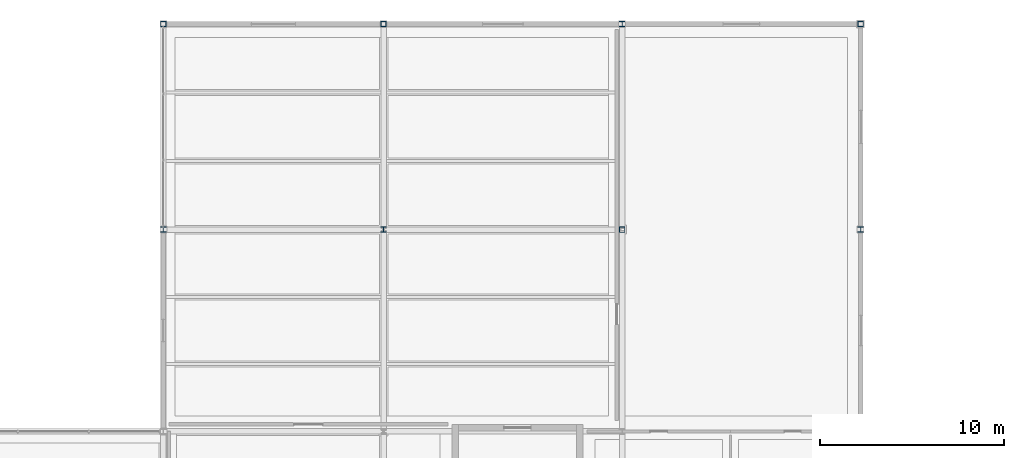
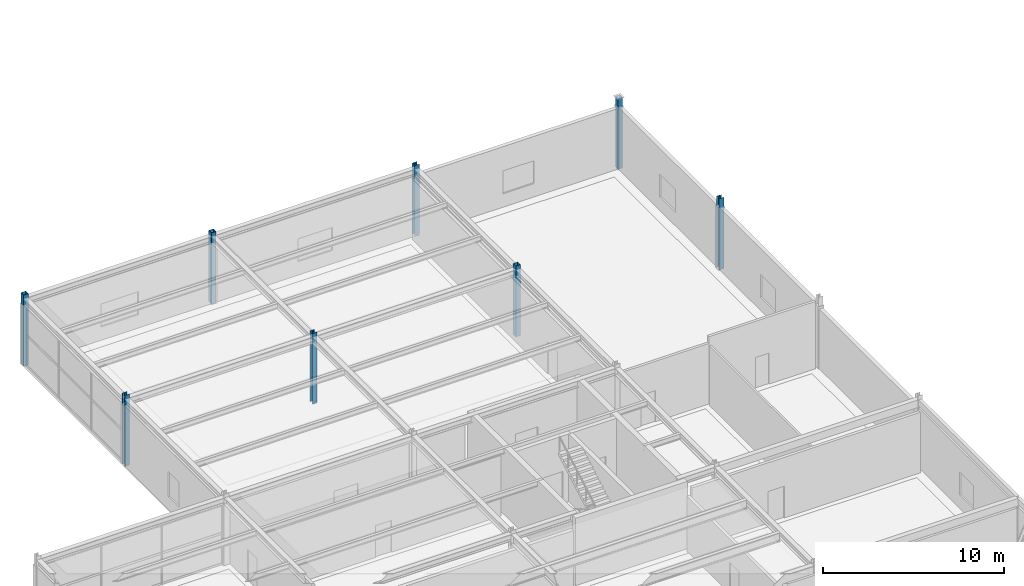
# One storey, part 11 of 108: 8 columns.
"""IFC4 building model written with IfcOpenShell, lengths in metres."""

from ifc_helpers import new_model, si_unit, direction, frame, origin, origin_2d, place, context, subcontext, project, spatial, hollow_rectangle, i_section, extrude, material, material_profile, profile_set, type_object, element, save


model = new_model("IFC4")

# Units and contexts
model_context = context("Model", 3, precision=1e-05, world=origin(), true_north=direction((0.0, 1.0)))
body_context = subcontext(model_context, "Body", "Model", "MODEL_VIEW")
ifc_project = project(units=[si_unit("LENGTHUNIT", "METRE"), si_unit("AREAUNIT", "SQUARE_METRE"), si_unit("VOLUMEUNIT", "CUBIC_METRE"), si_unit("PLANEANGLEUNIT", "RADIAN"), si_unit("MASSUNIT", "GRAM", prefix="KILO")], contexts=[model_context])

# Site, building, storey
site_placement = place(None, origin())
site = spatial("IfcSite", under=ifc_project, at=site_placement, CompositionType="ELEMENT")
building_placement = place(site_placement, origin())
building = spatial("IfcBuilding", under=site, at=building_placement, Name="Tarnveldt Headland Concert Hall", CompositionType="ELEMENT")
storey_placement = place(building_placement, frame((0.0, 0.0, 9.60009765625)))
storey = spatial("IfcBuildingStorey", under=building, at=storey_placement, Name="L02", CompositionType="ELEMENT", Elevation=9.60009765625)

# Columns
ifc_material = material(Name="Steel S355", Category="steel")
ifc_material_profile_1 = material_profile(ifc_material, i_section(OverallWidth=0.300048828125, OverallDepth=0.300048828125, WebThickness=0.010986328125, FlangeThickness=0.01904296875, FilletRadius=0.027099609375, at=origin_2d()), Name="HEB300", Category="steel")
ifc_profile_set_1 = profile_set([ifc_material_profile_1], Name="Steel S355")
column_type_1 = type_object("IfcColumnType", Name="SC-HEB300", PredefinedType="COLUMN", material=ifc_profile_set_1)
for number, where, z_axis, x_axis, name in (
    (1, (19.5, 104.0, 0.0), (0.0, 0.0, 1.0), (1.0, 0.0, 0.0), "Column V5C09 L02"),
    (2, (31.5, 104.0, 0.0), (0.0, 0.0, 1.0), (1.0, 0.0, 0.0), "Column V5C14 L02"),
    (3, (44.5, 115.199951171875, 0.0), (0.0, 0.0, 1.0), (1.0, 0.0, 0.0), "Column V5C21 L02"),
    (4, (57.5, 104.0, 0.0), (0.0, 0.0, 1.0), (1.0, 0.0, 0.0), "Column V5C24 L02"),
):
    element("IfcColumn", number, at=place(storey_placement, frame(where, z_axis=z_axis, x_axis=x_axis)), inside=storey, type_object=column_type_1, Name=name, PredefinedType="COLUMN", context=body_context, shape_type="SweptSolid", body=[
        extrude(i_section(OverallWidth=0.300048828125, OverallDepth=0.300048828125, WebThickness=0.010986328125, FlangeThickness=0.01904296875, FilletRadius=0.027099609375, at=origin_2d()), origin(), (0.0, 0.0, 1.0), 4.7998046875),
    ])
ifc_material_profile_2 = material_profile(ifc_material, hollow_rectangle(XDim=0.300048828125, YDim=0.300048828125, WallThickness=0.01611328125, at=origin_2d()), Name="SHS 300x300x16", Category="steel")
ifc_profile_set_2 = profile_set([ifc_material_profile_2], Name="Steel S355")
column_type_2 = type_object("IfcColumnType", Name="SC-SHS300", PredefinedType="COLUMN", material=ifc_profile_set_2)
for number, where, z_axis, x_axis, name in (
    (5, (19.5, 115.199951171875, 0.0), (0.0, 0.0, 1.0), (1.0, 0.0, 0.0), "Column V5C10 L02"),
    (6, (31.5, 115.199951171875, 0.0), (0.0, 0.0, 1.0), (1.0, 0.0, 0.0), "Column V5C15 L02"),
    (7, (44.5, 104.0, 0.0), (0.0, 0.0, 1.0), (1.0, 0.0, 0.0), "Column V5C20 L02"),
):
    element("IfcColumn", number, at=place(storey_placement, frame(where, z_axis=z_axis, x_axis=x_axis)), inside=storey, type_object=column_type_2, Name=name, PredefinedType="COLUMN", context=body_context, shape_type="SweptSolid", body=[
        extrude(hollow_rectangle(XDim=0.300048828125, YDim=0.300048828125, WallThickness=0.01611328125, at=origin_2d()), origin(), (0.0, 0.0, 1.0), 4.7998046875),
    ])
column_placement = place(storey_placement, frame((57.5, 115.199951171875, 0.0), z_axis=(0.0, 0.0, 1.0), x_axis=(1.0, 0.0, 0.0)))
element("IfcColumn", 8, at=column_placement, inside=storey, type_object=column_type_2, Name="Column V5C25 L02", PredefinedType="COLUMN", context=body_context, shape_type="SweptSolid", body=[
    extrude(hollow_rectangle(XDim=0.300048828125, YDim=0.300048828125, WallThickness=0.01611328125, at=origin_2d()), origin(), (0.0, 0.0, 1.0), 4.77978515625),
])

save(model, "model.ifc")
